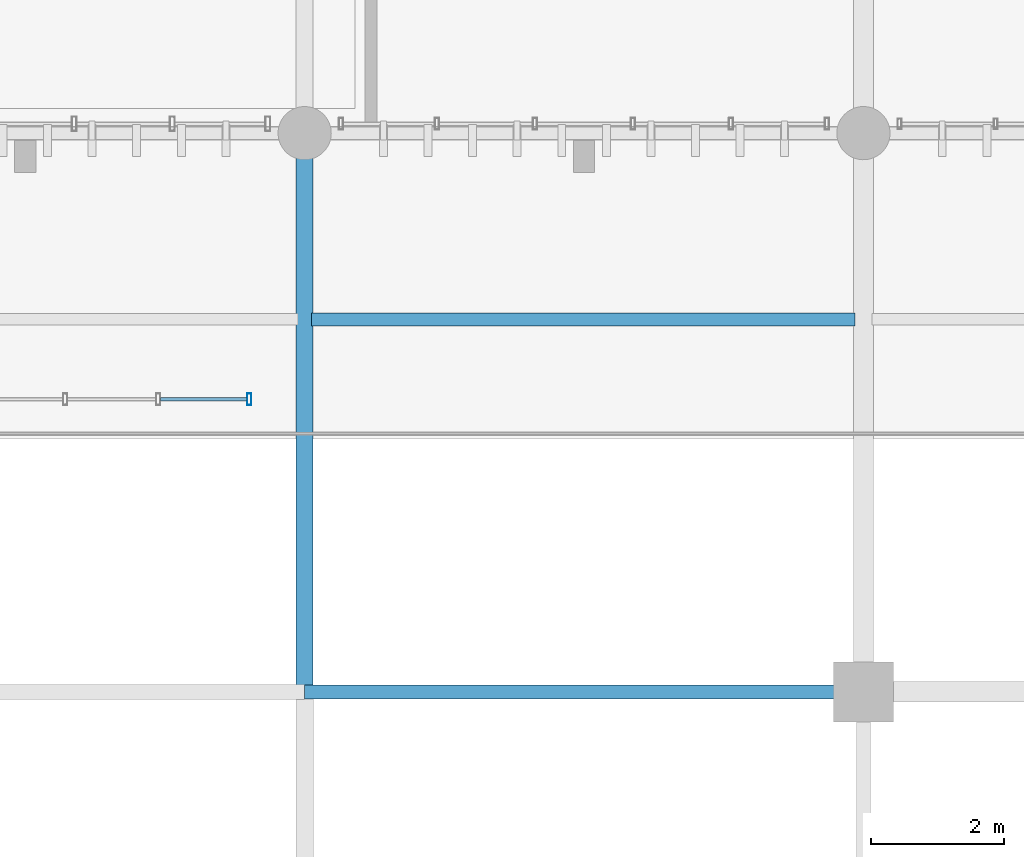
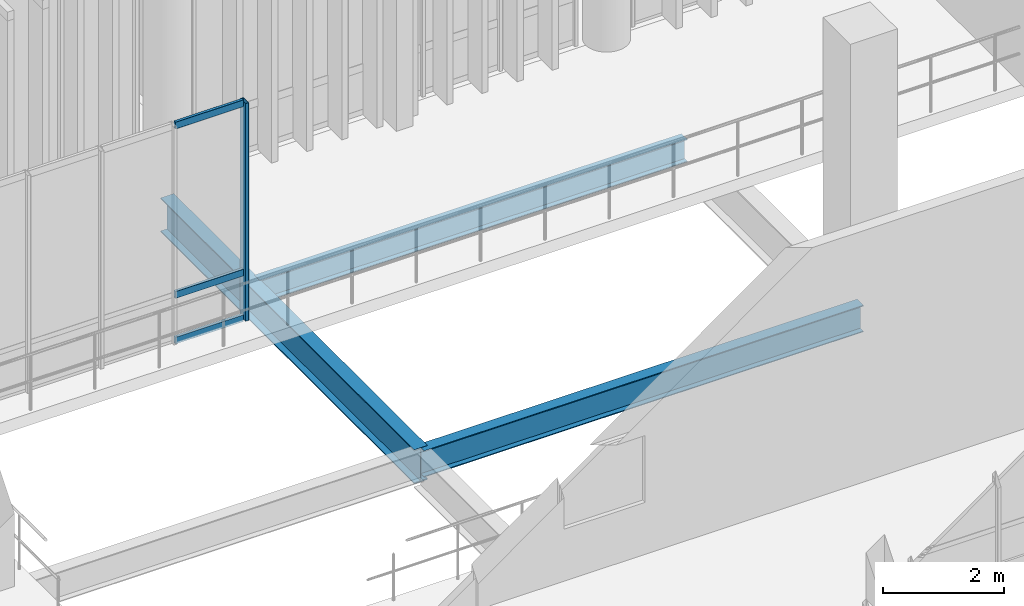
# One storey, part 48 of 128: 4 members, 3 beams, 1 element without a shape of its own.
"""IFC4 building model written with IfcOpenShell, lengths in metres."""

from ifc_helpers import new_model, si_unit, direction, frame, origin_with_axes, origin_2d_with_axis, place, context, subcontext, project, spatial, hollow_rectangle, i_section, extrude, material, material_profile, profile_set, type_object, element, aggregate, save


model = new_model("IFC4")

# Units and contexts
model_context = context("Model", 3, precision=1e-05, world=origin_with_axes(), true_north=direction((0.0, 1.0)))
body_context = subcontext(model_context, "Body", "Model", "MODEL_VIEW")
ifc_project = project(units=[si_unit("LENGTHUNIT", "METRE"), si_unit("AREAUNIT", "SQUARE_METRE"), si_unit("VOLUMEUNIT", "CUBIC_METRE"), si_unit("PLANEANGLEUNIT", "RADIAN"), si_unit("MASSUNIT", "GRAM", prefix="KILO"), si_unit("THERMODYNAMICTEMPERATUREUNIT", "KELVIN")], contexts=[model_context])

# Site, building, storey
site_placement = place(None, origin_with_axes())
site = spatial("IfcSite", under=ifc_project, at=site_placement, CompositionType="ELEMENT")
building_placement = place(site_placement, origin_with_axes())
building = spatial("IfcBuilding", under=site, at=building_placement, Name="Montbau Bow Law Courts", CompositionType="ELEMENT")
storey_placement = place(building_placement, frame((0.0, 0.0, 5.4), z_axis=(0.0, 0.0, 1.0), x_axis=(1.0, 0.0, 0.0)))
storey = spatial("IfcBuildingStorey", under=building, at=storey_placement, Name="L01", CompositionType="ELEMENT", Elevation=5.4)

# Beams
ifc_material_1 = material(Name="Steel CSA G40.21 Grade 350W (350 MPa)", Category="steel")
ifc_material_profile_1 = material_profile(ifc_material_1, i_section(OverallWidth=0.254, OverallDepth=0.688, WebThickness=0.0131, FlangeThickness=0.0211, at=origin_2d_with_axis()), Name="W690X152", Category="Main", Priority=0)
ifc_profile_set_1 = profile_set([ifc_material_profile_1], Name="Steel CSA G40.21 Grade 350W (350 MPa)")
beam_type_1 = type_object("IfcBeamType", Name="B-FLR-04", PredefinedType="BEAM", material=ifc_profile_set_1)
beam_1_placement = place(None, frame((72.0, 30.6, 4.816), z_axis=(0.0, 1.0, 0.0), x_axis=(-1.0, 0.0, 0.0)))
element("IfcBeam", 1, at=beam_1_placement, inside=storey, type_object=beam_type_1, Name="BM-L01-S1087:bm2_1090", PredefinedType="BEAM", context=body_context, shape_type="SweptSolid", body=[
    extrude(i_section(OverallWidth=0.254, OverallDepth=0.688, WebThickness=0.0131, FlangeThickness=0.0211, at=origin_2d_with_axis()), origin_with_axes(), (0.0, 0.0, 1.0), 8.4),
])
ifc_material_profile_2 = material_profile(ifc_material_1, i_section(OverallWidth=0.21, OverallDepth=0.537, WebThickness=0.0109, FlangeThickness=0.0174, at=origin_2d_with_axis()), Name="W530X101", Category="Main", Priority=0)
ifc_profile_set_2 = profile_set([ifc_material_profile_2], Name="Steel CSA G40.21 Grade 350W (350 MPa)")
beam_type_2 = type_object("IfcBeamType", Name="B-FLR-06", PredefinedType="BEAM", material=ifc_profile_set_2)
beam_2_placement = place(None, frame((72.0, 30.6, 4.891), z_axis=(1.0, 0.0, 0.0), x_axis=(0.0, 1.0, 0.0)))
element("IfcBeam", 2, at=beam_2_placement, inside=storey, type_object=beam_type_2, Name="BM-L01-S1073:bm2_1076", PredefinedType="BEAM", context=body_context, shape_type="SweptSolid", body=[
    extrude(i_section(OverallWidth=0.21, OverallDepth=0.537, WebThickness=0.0109, FlangeThickness=0.0174, at=origin_2d_with_axis()), origin_with_axes(), (0.0, 0.0, 1.0), 8.4),
])
ifc_material_profile_3 = material_profile(ifc_material_1, i_section(OverallWidth=0.191, OverallDepth=0.46, WebThickness=0.0099, FlangeThickness=0.016, at=origin_2d_with_axis()), Name="W460X82", Category="Main", Priority=0)
ifc_profile_set_3 = profile_set([ifc_material_profile_3], Name="Steel CSA G40.21 Grade 350W (350 MPa)")
beam_type_3 = type_object("IfcBeamType", Name="B-JST-01", PredefinedType="JOIST", material=ifc_profile_set_3)
beam_3_placement = place(None, frame((72.103, 36.2, 4.93), z_axis=(1.0, 0.0, 0.0), x_axis=(0.0, 1.0, 0.0)))
element("IfcBeam", 3, at=beam_3_placement, inside=storey, type_object=beam_type_3, Name="JST-L01-S0552:jst2_0552", PredefinedType="JOIST", context=body_context, shape_type="SweptSolid", body=[
    extrude(i_section(OverallWidth=0.191, OverallDepth=0.46, WebThickness=0.0099, FlangeThickness=0.016, at=origin_2d_with_axis()), origin_with_axes(), (0.0, 0.0, 1.0), 8.168),
])

# Curtain wall, members
ifc_material_2 = material(Name="Thermally Broken Extruded Aluminium AA 6063-T6", Category="aluminium")
curtain_wall_type = type_object("IfcCurtainWallType", Name="CW-INT-01", PredefinedType="NOTDEFINED", material=ifc_material_2)
curtain_wall_placement = place(None, frame((65.6, 35.0, 5.4), z_axis=(0.0, 0.0, 1.0), x_axis=(1.0, 0.0, 0.0)))
curtain_wall = element("IfcCurtainWall", 4, at=curtain_wall_placement, inside=storey, type_object=curtain_wall_type, Name="CW-L01-415:cw_0415", PredefinedType="NOTDEFINED")
ifc_material_profile_4 = material_profile(ifc_material_2, hollow_rectangle(XDim=0.065, YDim=0.18, WallThickness=0.005, InnerFilletRadius=0.01, OuterFilletRadius=0.005, at=origin_2d_with_axis()), Name="CWM-180X65", Category="Main", Priority=0)
ifc_profile_set_4 = profile_set([ifc_material_profile_4], Name="Thermally Broken Extruded Aluminium AA 6063-T6")
member_type_1 = type_object("IfcMemberType", Name="M-MUL-02", PredefinedType="MULLION", material=ifc_profile_set_4)
member_1_placement = place(None, frame((71.168, 35.0, 5.4), z_axis=(0.0, 0.0, 1.0), x_axis=(1.0, 0.0, 0.0)))
member_1 = element("IfcMember", 5, at=member_1_placement, type_object=member_type_1, Name="CW-L01-415-M05:cw_0415_M05", PredefinedType="MULLION", context=body_context, shape_type="SweptSolid", body=[
    extrude(hollow_rectangle(XDim=0.065, YDim=0.18, WallThickness=0.005, InnerFilletRadius=0.01, OuterFilletRadius=0.005, at=origin_2d_with_axis()), origin_with_axes(), (0.0, 0.0, 1.0), 4.4),
])
ifc_material_profile_5 = material_profile(ifc_material_2, hollow_rectangle(XDim=0.055, YDim=0.14, WallThickness=0.004, InnerFilletRadius=0.008, OuterFilletRadius=0.004, at=origin_2d_with_axis()), Name="CWT-140X55", Category="Main", Priority=0)
ifc_profile_set_5 = profile_set([ifc_material_profile_5], Name="Thermally Broken Extruded Aluminium AA 6063-T6")
member_type_2 = type_object("IfcMemberType", Name="M-TRN-02", PredefinedType="USERDEFINED", material=ifc_profile_set_5)
member_2_placement = place(None, frame((69.834, 35.0, 5.428), z_axis=(1.0, 0.0, 0.0), x_axis=(0.0, 1.0, 0.0)))
member_2 = element("IfcMember", 6, at=member_2_placement, type_object=member_type_2, Name="CW-L01-415-T04-1:cw_0415_T04_1", ObjectType="TRANSOM", PredefinedType="USERDEFINED", context=body_context, shape_type="SweptSolid", body=[
    extrude(hollow_rectangle(XDim=0.055, YDim=0.14, WallThickness=0.004, InnerFilletRadius=0.008, OuterFilletRadius=0.004, at=origin_2d_with_axis()), origin_with_axes(), (0.0, 0.0, 1.0), 1.3),
])
member_3_placement = place(None, frame((69.834, 35.0, 6.35), z_axis=(1.0, 0.0, 0.0), x_axis=(0.0, 1.0, 0.0)))
member_3 = element("IfcMember", 7, at=member_3_placement, type_object=member_type_2, Name="CW-L01-415-T04-2:cw_0415_T04_2", ObjectType="TRANSOM", PredefinedType="USERDEFINED", context=body_context, shape_type="SweptSolid", body=[
    extrude(hollow_rectangle(XDim=0.055, YDim=0.14, WallThickness=0.004, InnerFilletRadius=0.008, OuterFilletRadius=0.004, at=origin_2d_with_axis()), origin_with_axes(), (0.0, 0.0, 1.0), 1.3),
])
member_4_placement = place(None, frame((69.834, 35.0, 9.773), z_axis=(1.0, 0.0, 0.0), x_axis=(0.0, 1.0, 0.0)))
member_4 = element("IfcMember", 8, at=member_4_placement, type_object=member_type_2, Name="CW-L01-415-T04-3:cw_0415_T04_3", ObjectType="TRANSOM", PredefinedType="USERDEFINED", context=body_context, shape_type="SweptSolid", body=[
    extrude(hollow_rectangle(XDim=0.055, YDim=0.14, WallThickness=0.004, InnerFilletRadius=0.008, OuterFilletRadius=0.004, at=origin_2d_with_axis()), origin_with_axes(), (0.0, 0.0, 1.0), 1.3),
])
aggregate(curtain_wall, [member_1, member_2, member_3, member_4])

save(model, "model.ifc")
